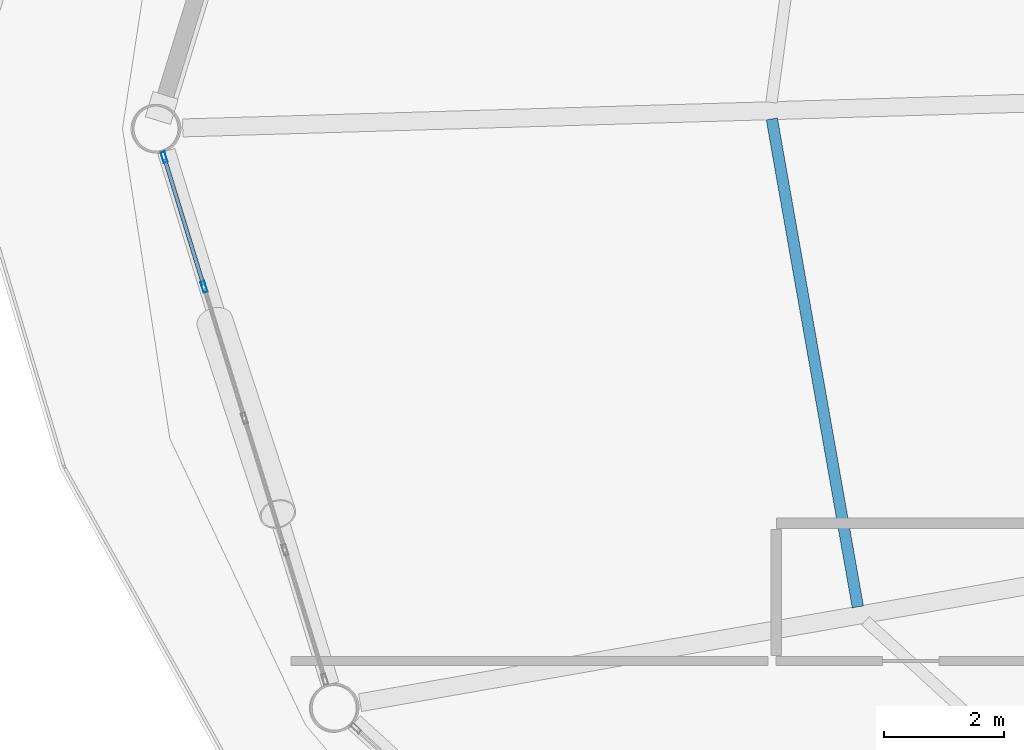
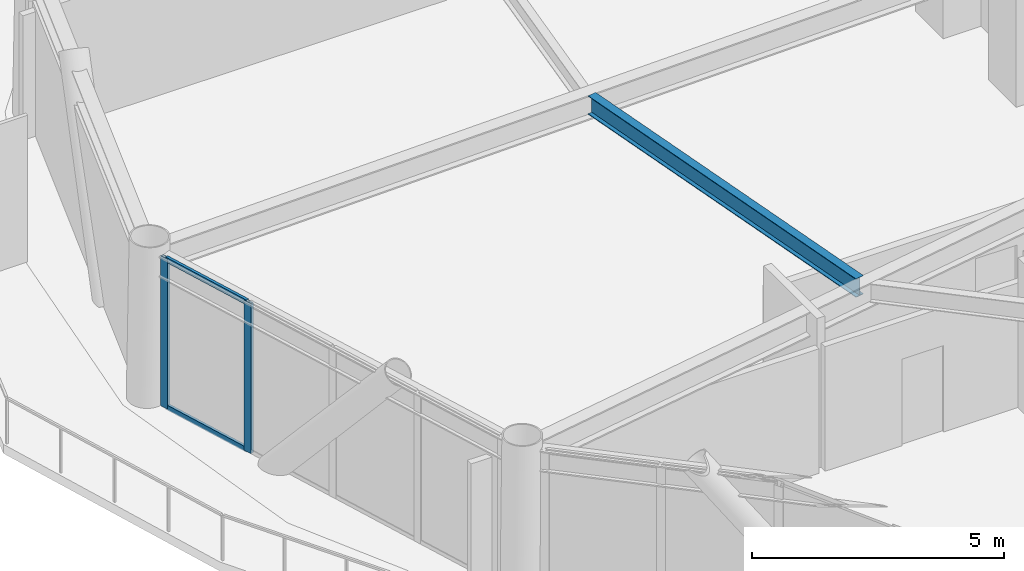
# One storey, part 7 of 23: 4 members, 1 beam, 1 element without a shape of its own.
"""IFC4 building model written with IfcOpenShell, lengths in metres."""

import ifcopenshell
import ifcopenshell.guid

model = None  # the IFC model being written
_history = None  # IfcOwnerHistory: only IFC2X3 demands one
_inside = {}  # id of a spatial element -> (the spatial element, [elements in it])
_under = {}  # id of a project, library or spatial element -> (it, [spatial elements below it])
_declared = {}  # id of a project -> (the project, [libraries it declares])
_typed = {}  # id of a type object -> (the type object, [elements of that type])
_made_of = {}  # id of a material, layer set ... -> (it, [elements and type objects made of it])


def new_model(schema):
    """Start an empty IFC model of exactly this schema.

    Asked for "IFC4X3", IfcOpenShell would pick the latest addendum, in which some entities
    have other attributes; the version numbers below select the first issue.
    IFC2X3 requires an IfcOwnerHistory on every rooted entity: one is made here for all.
    """
    global model, _history
    if schema == "IFC4X3":
        model = ifcopenshell.file(schema_version=(4, 3, 0, 0))
    else:
        model = ifcopenshell.file(schema=schema)
    _inside.clear()
    _under.clear()
    _declared.clear()
    _typed.clear()
    _made_of.clear()
    _history = None
    if model.schema == "IFC2X3":
        org = make("IfcOrganization", Name="unknown")
        user = make(
            "IfcPersonAndOrganization",
            ThePerson=make("IfcPerson", FamilyName="unknown"),
            TheOrganization=org,
        )
        app = make(
            "IfcApplication",
            ApplicationDeveloper=org,
            Version="unknown",
            ApplicationFullName="unknown",
            ApplicationIdentifier="unknown",
        )
        _history = make(
            "IfcOwnerHistory",
            OwningUser=user,
            OwningApplication=app,
            ChangeAction="ADDED",
            CreationDate=0,
        )
    return model


def make(cls, **values):
    """One entity of the class cls with the attributes given. An attribute that is None is left unset."""
    return model.create_entity(
        cls, **{name: value for name, value in values.items() if value is not None}
    )


def rooted(cls, **values):
    """An entity with a GlobalId (a new one), such as an element, a storey or a relation."""
    return make(cls, GlobalId=ifcopenshell.guid.new(), OwnerHistory=_history, **values)


def si_unit(unit_type, name, prefix=None):
    """IfcSIUnit, for example si_unit("LENGTHUNIT", "METRE", prefix="MILLI")."""
    return make("IfcSIUnit", UnitType=unit_type, Prefix=prefix, Name=name)


def assignment(units):
    """IfcUnitAssignment: the units of a project."""
    return None if units is None else make("IfcUnitAssignment", Units=units)


def point(xyz):
    """IfcCartesianPoint."""
    return None if xyz is None else make("IfcCartesianPoint", Coordinates=xyz)


def direction(xyz):
    """IfcDirection."""
    return None if xyz is None else make("IfcDirection", DirectionRatios=xyz)


def frame(location, z_axis=None, x_axis=None):
    """IfcAxis2Placement3D, a coordinate frame: its origin and axes. An axis left out is left unset."""
    return make(
        "IfcAxis2Placement3D",
        Location=point(location),
        Axis=direction(z_axis),
        RefDirection=direction(x_axis),
    )


def frame_2d(location, x_axis=None):
    """IfcAxis2Placement2D, a coordinate frame in the plane: its origin and x axis."""
    return make(
        "IfcAxis2Placement2D", Location=point(location), RefDirection=direction(x_axis)
    )


def origin():
    """The frame at (0, 0, 0) with its axes left unset."""
    return frame((0.0, 0.0, 0.0))


def origin_2d():
    """The frame at (0, 0) in the plane with its x axis left unset."""
    return frame_2d((0.0, 0.0))


def place(relative_to, where):
    """IfcLocalPlacement: puts the frame where relative to a parent placement (None: the world)."""
    return make(
        "IfcLocalPlacement", PlacementRelTo=relative_to, RelativePlacement=where
    )


def context(
    kind, dimensions, precision=None, world=None, true_north=None, identifier=None
):
    """IfcGeometricRepresentationContext, for example the 3D "Model" context."""
    return make(
        "IfcGeometricRepresentationContext",
        ContextIdentifier=identifier,
        ContextType=kind,
        CoordinateSpaceDimension=dimensions,
        Precision=precision,
        WorldCoordinateSystem=world,
        TrueNorth=true_north,
    )


def subcontext(parent, identifier, kind, view, scale=None):
    """IfcGeometricRepresentationSubContext, for example "Body" below "Model"."""
    return make(
        "IfcGeometricRepresentationSubContext",
        ContextIdentifier=identifier,
        ContextType=kind,
        ParentContext=parent,
        TargetScale=scale,
        TargetView=view,
    )


def project(units=None, contexts=None):
    """IfcProject with its units and contexts."""
    return rooted(
        "IfcProject",
        Name="project",
        RepresentationContexts=contexts,
        UnitsInContext=assignment(units),
    )


def spatial(cls, under=None, at=None, **own):
    """A site, building, storey or space (cls), placed at a placement, below another one or the project."""
    s = rooted(cls, ObjectPlacement=at, **own)
    if under is not None:
        _under.setdefault(under.id(), (under, []))[1].append(s)
    return s


def profile(cls, at=None, kind="AREA", **sizes):
    """A parametric profile (cls). Its sizes go by their IFC names, for example OverallWidth=200.0."""
    return make(cls, ProfileType=kind, Position=at, **sizes)


def hollow_rectangle(**sizes):
    """IfcRectangleHollowProfileDef."""
    return profile("IfcRectangleHollowProfileDef", **sizes)


def i_section(**sizes):
    """IfcIShapeProfileDef."""
    return profile("IfcIShapeProfileDef", **sizes)


def extrude(swept, where, along, depth):
    """IfcExtrudedAreaSolid: the profile swept, set in the frame where, extruded along a direction by depth."""
    return make(
        "IfcExtrudedAreaSolid",
        SweptArea=swept,
        Position=where,
        ExtrudedDirection=direction(along),
        Depth=depth,
    )


def shape(context_of_items, identifier, shape_type, items):
    """IfcShapeRepresentation: the items that make up one representation, for example the "Body"."""
    return make(
        "IfcShapeRepresentation",
        ContextOfItems=context_of_items,
        RepresentationIdentifier=identifier,
        RepresentationType=shape_type,
        Items=items,
    )


def material(Name=None, Category=None):
    """IfcMaterial."""
    return make("IfcMaterial", Name=Name, Category=Category)


def layer(
    of_material, thickness, ventilated=None, Name=None, Category=None, Priority=None
):
    """IfcMaterialLayer: one layer of a wall or slab, of a material (None: an air gap)."""
    return make(
        "IfcMaterialLayer",
        Material=of_material,
        LayerThickness=thickness,
        IsVentilated=ventilated,
        Name=Name,
        Category=Category,
        Priority=Priority,
    )


def layer_set(layers, Name=None):
    """IfcMaterialLayerSet."""
    return make("IfcMaterialLayerSet", MaterialLayers=layers, LayerSetName=Name)


def material_profile(
    of_material, cross_section, Name=None, Category=None, Priority=None
):
    """IfcMaterialProfile: a cross section and its material."""
    return make(
        "IfcMaterialProfile",
        Name=Name,
        Material=of_material,
        Profile=cross_section,
        Priority=Priority,
        Category=Category,
    )


def profile_set(profiles, Name=None, composite=None):
    """IfcMaterialProfileSet."""
    return make(
        "IfcMaterialProfileSet",
        Name=Name,
        MaterialProfiles=profiles,
        CompositeProfile=composite,
    )


def made_of(thing, what):
    """Note that an element or type object is made of a material, layer set ...; save() writes the relation."""
    if what is not None:
        _made_of.setdefault(what.id(), (what, []))[1].append(thing)
    return thing


def type_object(cls, material=None, **own):
    """A type object (cls), such as IfcWallType, which elements share."""
    return made_of(rooted(cls, **own), material)


def element(
    cls,
    number,
    at=None,
    inside=None,
    cuts=None,
    type_object=None,
    material=None,
    context=None,
    identifier="Body",
    shape_type=None,
    held_by="IfcProductDefinitionShape",
    body=None,
    shapes=None,
    **own,
):
    """One element of the class cls, such as IfcWall. Its Tag is "e" and its number.

    at: its placement. inside: the storey or other place that contains it. cuts: it is an
    opening in that element (IfcRelVoidsElement). A single representation is given by context,
    identifier, shape_type and body (its items); several are given by shapes. held_by: the class
    of the entity that holds the representations. save() writes the other relations.
    """
    e = rooted(cls, Tag="e%d" % number, ObjectPlacement=at, **own)
    if body is not None:
        shapes = [shape(context, identifier, shape_type, body)]
    if shapes is not None:
        e.Representation = make(held_by, Representations=shapes)
    if inside is not None:
        _inside.setdefault(inside.id(), (inside, []))[1].append(e)
    if cuts is not None:
        rooted(
            "IfcRelVoidsElement", RelatingBuildingElement=cuts, RelatedOpeningElement=e
        )
    if type_object is not None:
        _typed.setdefault(type_object.id(), (type_object, []))[1].append(e)
    return made_of(e, material)


def aggregate(whole, parts):
    """IfcRelAggregates: a whole, such as a stair, and the parts it consists of."""
    return rooted("IfcRelAggregates", RelatingObject=whole, RelatedObjects=parts)


def save(model, path):
    """Write the relations noted so far, then the file.

    IfcRelAggregates (storeys below a building ...), IfcRelContainedInSpatialStructure (elements
    in a storey), IfcRelDefinesByType, IfcRelAssociatesMaterial and IfcRelDeclares: one each for
    every whole, place, type object, material and project.
    """
    for whole, parts in _under.values():
        aggregate(whole, parts)
    for where, things in _inside.values():
        rooted(
            "IfcRelContainedInSpatialStructure",
            RelatedElements=things,
            RelatingStructure=where,
        )
    for kind, things in _typed.values():
        rooted("IfcRelDefinesByType", RelatedObjects=things, RelatingType=kind)
    for what, things in _made_of.values():
        rooted("IfcRelAssociatesMaterial", RelatedObjects=things, RelatingMaterial=what)
    for by, libraries in _declared.values():
        rooted("IfcRelDeclares", RelatingContext=by, RelatedDefinitions=libraries)
    model.write(path)


model = new_model("IFC4")

# Units and contexts
model_context = context("Model", 3, precision=1e-05, world=origin(), true_north=direction((0.0, 1.0)))
body_context = subcontext(model_context, "Body", "Model", "MODEL_VIEW")
ifc_project = project(units=[si_unit("LENGTHUNIT", "METRE"), si_unit("AREAUNIT", "SQUARE_METRE"), si_unit("VOLUMEUNIT", "CUBIC_METRE"), si_unit("PLANEANGLEUNIT", "RADIAN"), si_unit("MASSUNIT", "GRAM", prefix="KILO")], contexts=[model_context])

# Site, building, storey
site_placement = place(None, origin())
site = spatial("IfcSite", under=ifc_project, at=site_placement, CompositionType="ELEMENT")
building_placement = place(site_placement, origin())
building = spatial("IfcBuilding", under=site, at=building_placement, Name="Varnakorn Sky Granary", CompositionType="ELEMENT")
storey_placement = place(building_placement, frame((0.0, 0.0, 114.89990234375)))
storey = spatial("IfcBuildingStorey", under=building, at=storey_placement, Name="L28", CompositionType="ELEMENT", Elevation=114.89990234375)

# Beam
ifc_material_1 = material(Name="Steel S355JR", Category="steel")
ifc_material_profile_1 = material_profile(ifc_material_1, i_section(OverallWidth=0.18994140625, OverallDepth=0.449951171875, WebThickness=0.009521484375, FlangeThickness=0.0146484375, at=origin_2d()), Name="IPE 450")
ifc_profile_set_1 = profile_set([ifc_material_profile_1], Name="Steel S355JR")
beam_type = type_object("IfcBeamType", Name="BM-SEC-Z2", PredefinedType="BEAM", material=ifc_profile_set_1)
beam_placement = place(storey_placement, frame((-12.573486328125, 0.16162109375, 3.4150390625), z_axis=(0.173556717923, -0.984823875454, 0.0), x_axis=(0.984823875454, 0.173556717923, 0.0)))
element("IfcBeam", 1, at=beam_placement, inside=storey, type_object=beam_type, Name="Secondary Floor Chord Beam MSB07 L28", PredefinedType="BEAM", context=body_context, shape_type="SweptSolid", body=[
    extrude(i_section(OverallWidth=0.18994140625, OverallDepth=0.449951171875, WebThickness=0.009521484375, FlangeThickness=0.0146484375, at=origin_2d()), origin(), (0.0, 0.0, 1.0), 8.285400390625),
])

# Curtain wall, members
ifc_material_2 = material(Name="Anodised Bronze Aluminium Alloy 6063-T6", Category="aluminium")
ifc_layer = layer(ifc_material_2, 0.179931640625, Name="Anodised Bronze Aluminium Alloy 6063-T6")
ifc_layer_set = layer_set([ifc_layer], Name="Anodised Bronze Aluminium Alloy 6063-T6")
curtain_wall_type = type_object("IfcCurtainWallType", Name="CW-FRM-2", PredefinedType="USERDEFINED", material=ifc_layer_set)
curtain_wall_placement = place(storey_placement, origin())
curtain_wall = element("IfcCurtainWall", 2, at=curtain_wall_placement, inside=storey, type_object=curtain_wall_type, Name="Unitised Curtain Wall CW4 CW-L28-B07", ObjectType="CURTAIN WALL", PredefinedType="USERDEFINED")
ifc_material_profile_2 = material_profile(ifc_material_2, hollow_rectangle(XDim=0.070068359375, YDim=0.18505859375, WallThickness=0.00390625, at=origin_2d()), Name="ALU MULL 70x185")
ifc_profile_set_2 = profile_set([ifc_material_profile_2], Name="Anodised Bronze Aluminium Alloy 6063-T6")
member_type_1 = type_object("IfcMemberType", Name="CW-FRM-2-MULL", PredefinedType="MULLION", material=ifc_profile_set_2)
member_1_placement = place(storey_placement, frame((-22.069091796875, -2.645751953125, 0.0), z_axis=(0.0, 0.0, 1.0), x_axis=(-0.955783470906, -0.294071346349, 0.0)))
member_1 = element("IfcMember", 3, at=member_1_placement, type_object=member_type_1, Name="CW4 mullion 4", PredefinedType="MULLION", context=body_context, shape_type="SweptSolid", body=[
    extrude(hollow_rectangle(XDim=0.070068359375, YDim=0.18505859375, WallThickness=0.00390625, at=origin_2d()), origin(), (0.0, 0.0, 1.0), 3.64013671875),
])
member_2_placement = place(storey_placement, frame((-22.735595703125, -0.479248046875, 0.0), z_axis=(0.0, 0.0, 1.0), x_axis=(-0.955783470906, -0.294071346349, 0.0)))
member_2 = element("IfcMember", 4, at=member_2_placement, type_object=member_type_1, Name="CW4 mullion 5", PredefinedType="MULLION", context=body_context, shape_type="SweptSolid", body=[
    extrude(hollow_rectangle(XDim=0.070068359375, YDim=0.18505859375, WallThickness=0.00390625, at=origin_2d()), origin(), (0.0, 0.0, 1.0), 3.64013671875),
])
ifc_material_profile_3 = material_profile(ifc_material_2, hollow_rectangle(XDim=0.06494140625, YDim=0.1201171875, WallThickness=0.00341796875, at=origin_2d()), Name="ALU TRAN 65x120")
ifc_profile_set_3 = profile_set([ifc_material_profile_3], Name="Anodised Bronze Aluminium Alloy 6063-T6")
member_type_2 = type_object("IfcMemberType", Name="CW-FRM-2-TRAN", PredefinedType="USERDEFINED", material=ifc_profile_set_3)
member_3_placement = place(storey_placement, frame((-22.079345703125, -2.6123046875, 0.03271484375), z_axis=(-0.293968697707, 0.955815047365, 0.0), x_axis=(-0.955815047365, -0.293968697707, 0.0)))
member_3 = element("IfcMember", 5, at=member_3_placement, type_object=member_type_2, Name="CW4 transom 4.1", ObjectType="TRANSOM", PredefinedType="USERDEFINED", context=body_context, shape_type="SweptSolid", body=[
    extrude(hollow_rectangle(XDim=0.06494140625, YDim=0.1201171875, WallThickness=0.00341796875, at=origin_2d()), origin(), (0.0, 0.0, 1.0), 2.19677734375),
])
member_4_placement = place(storey_placement, frame((-22.079345703125, -2.6123046875, 3.607666015625), z_axis=(-0.293968697707, 0.955815047365, 0.0), x_axis=(-0.955815047365, -0.293968697707, 0.0)))
member_4 = element("IfcMember", 6, at=member_4_placement, type_object=member_type_2, Name="CW4 transom 4.2", ObjectType="TRANSOM", PredefinedType="USERDEFINED", context=body_context, shape_type="SweptSolid", body=[
    extrude(hollow_rectangle(XDim=0.06494140625, YDim=0.1201171875, WallThickness=0.00341796875, at=origin_2d()), origin(), (0.0, 0.0, 1.0), 2.19677734375),
])
aggregate(curtain_wall, [member_1, member_2, member_3, member_4])

save(model, "model.ifc")
